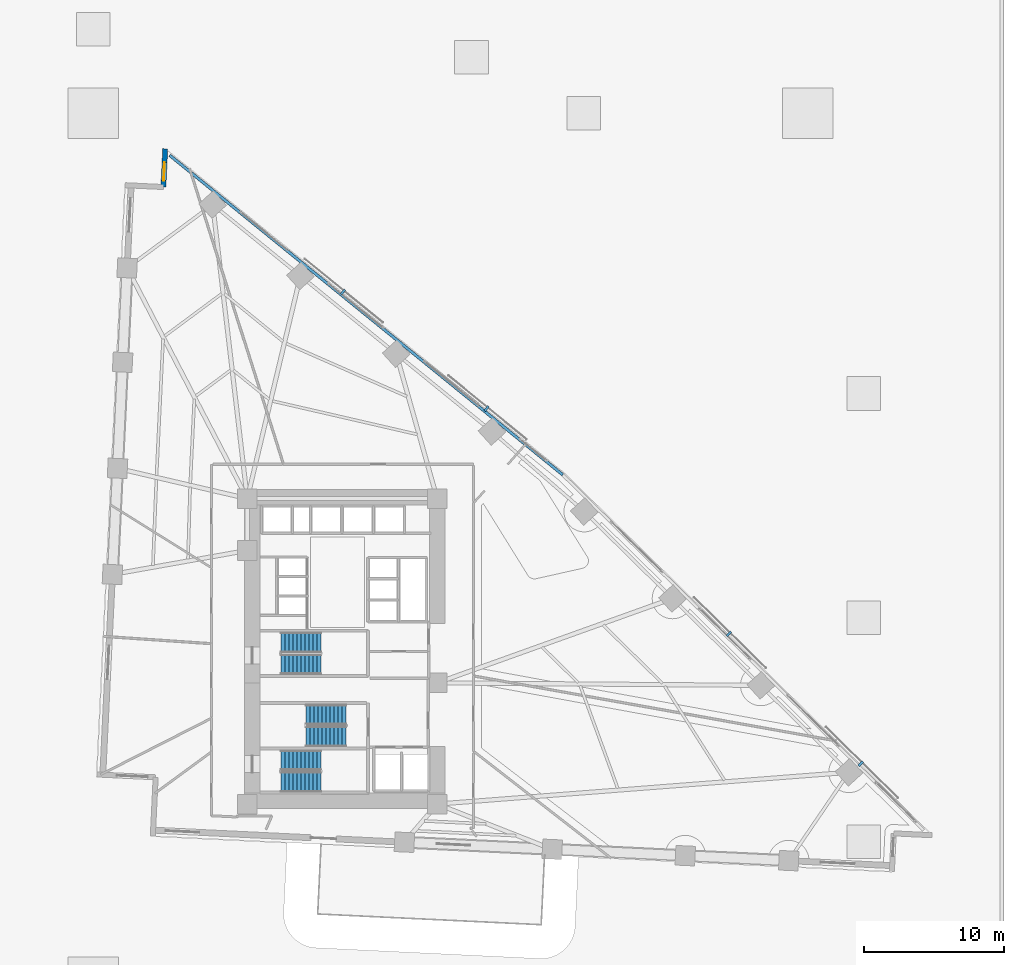
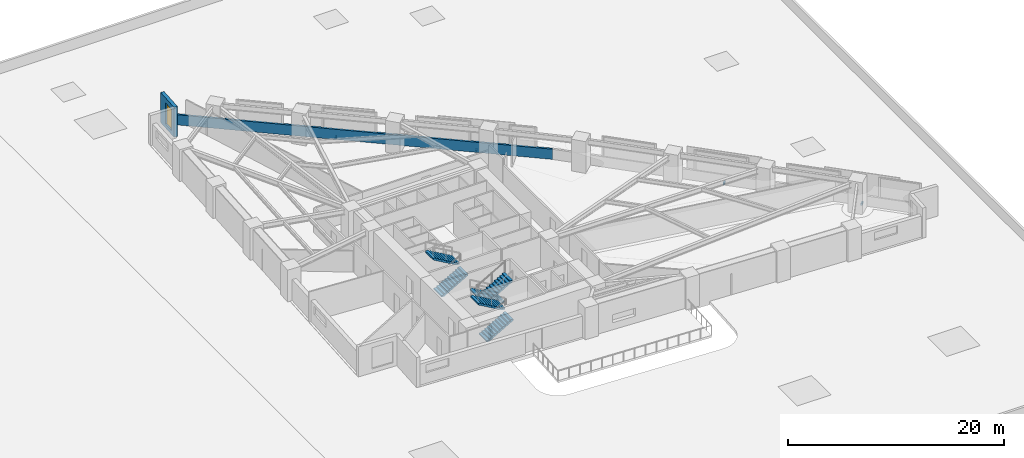
# One storey, part 17 of 19: 6 stair flights, 4 discrete accessories, 2 walls, 1 window, 1 opening, 3 elements without a shape of their own.
"""IFC4 building model written with IfcOpenShell, lengths in metres."""

from ifc_helpers import new_model, si_unit, direction, frame, frame_2d, origin, origin_2d, place, context, subcontext, project, spatial, polyline, rectangle, outline, extrude, material, layer, layer_set, type_object, element, fill, aggregate, save


model = new_model("IFC4")

# Units and contexts
model_context = context("Model", 3, precision=1e-05, world=origin(), true_north=direction((0.0, 1.0)))
body_context = subcontext(model_context, "Body", "Model", "MODEL_VIEW")
ifc_project = project(units=[si_unit("LENGTHUNIT", "METRE"), si_unit("AREAUNIT", "SQUARE_METRE"), si_unit("VOLUMEUNIT", "CUBIC_METRE"), si_unit("PLANEANGLEUNIT", "RADIAN"), si_unit("MASSUNIT", "GRAM", prefix="KILO")], contexts=[model_context])

# Site, building, storey
site_placement = place(None, origin())
site = spatial("IfcSite", under=ifc_project, at=site_placement, CompositionType="ELEMENT")
building_placement = place(site_placement, origin())
building = spatial("IfcBuilding", under=site, at=building_placement, Name="Narakoshi Arena Tower", CompositionType="ELEMENT")
storey_placement = place(building_placement, frame((0.0, 0.0, 26.699951171875)))
storey = spatial("IfcBuildingStorey", under=building, at=storey_placement, Name="L06", CompositionType="ELEMENT", Elevation=26.699951171875)

# Wall
ifc_material_1 = material(Name="Precast concrete C45/55", Category="concrete")
ifc_layer_1 = layer(ifc_material_1, 0.25)
ifc_layer_set_1 = layer_set([ifc_layer_1], Name="Precast concrete C45/55")
wall_type_1 = type_object("IfcWallType", Name="WL-PARA-250", PredefinedType="PARAPET", material=ifc_layer_set_1)
wall_1_placement = place(storey_placement, frame((94.51318359375, 58.19580078125, 0.0), z_axis=(0.0, 0.0, 1.0), x_axis=(-0.776001602097, 0.630730935933, 0.0)))
element("IfcWall", 1, at=wall_1_placement, inside=storey, type_object=wall_type_1, Name="L06 Hypotenuse Sill Upstand Parapet 2-01", PredefinedType="PARAPET", context=body_context, shape_type="SweptSolid", body=[
    extrude(rectangle(XDim=36.14794921875, YDim=0.199951171875, at=frame_2d((18.073974609375, 0.0))), origin(), (0.0, 0.0, 1.0), 1.150146484375),
])

# Wall, opening, window
ifc_layer_2 = layer(ifc_material_1, 0.419921875)
ifc_layer_set_2 = layer_set([ifc_layer_2], Name="Precast concrete C45/55")
wall_type_2 = type_object("IfcWallType", Name="WL-POD-420", PredefinedType="SOLIDWALL", material=ifc_layer_set_2)
wall_2_placement = place(storey_placement, frame((66.144287109375, 81.4599609375, 0.0), z_axis=(0.0, 0.0, 1.0), x_axis=(-0.047934806162, -0.998850466465, 0.0)))
wall_2 = element("IfcWall", 2, at=wall_2_placement, inside=storey, type_object=wall_type_2, Name="L06 Re-Entrant Corner Notch Wall NTN-1", PredefinedType="SOLIDWALL", context=body_context, shape_type="SweptSolid", body=[
    extrude(rectangle(XDim=2.72998046875, YDim=0.360107421875, at=frame_2d((1.364990234375, 0.0))), origin(), (0.0, 0.0, 1.0), 3.400146484375),
])
opening_placement = place(wall_2_placement, frame((0.965087890625, 0.0, 0.449951171875)))
opening = element("IfcOpeningElement", 3, at=opening_placement, cuts=wall_2, Name="Opening WN-06", PredefinedType="OPENING", context=body_context, shape_type="SweptSolid", body=[
    extrude(rectangle(XDim=1.300048828125, YDim=2.39990234375, at=frame_2d((0.64990234375, 1.199951171875))), frame((0.0, 0.18994140625, 0.0), z_axis=(0.0, -1.0, 0.0), x_axis=(1.0, 0.0, 0.0)), (0.0, 0.0, 1.0), 0.380126953125),
])
ifc_material_2 = material(Name="Bronze-tinted low-E laminated glass", Category="glass")
window_type = type_object("IfcWindowType", Name="WIN-NTC-16x24", PartitioningType="SINGLE_PANEL", PredefinedType="WINDOW", material=ifc_material_2)
window_placement = place(opening_placement, origin())
window = element("IfcWindow", 4, at=window_placement, inside=storey, type_object=window_type, Name="L06 Corner Notch Window NTN", OverallHeight=2.39990234375, OverallWidth=1.300048828125, PartitioningType="SINGLE_PANEL", PredefinedType="WINDOW", context=body_context, shape_type="SweptSolid", body=[
    extrude(rectangle(XDim=1.300048828125, YDim=2.39990234375, at=frame_2d((0.64990234375, 1.199951171875))), frame((0.0, 0.030029296875, 0.0), z_axis=(0.0, -1.0, 0.0), x_axis=(1.0, 0.0, 0.0)), (0.0, 0.0, 1.0), 0.06005859375),
])
fill(opening, window)

# Stair, stair flights
ifc_material_3 = material(Name="Concrete C45/55", Category="concrete")
stair_type = type_object("IfcStairType", Name="STR-CORE-360", PredefinedType="TWO_STRAIGHT_RUN_STAIR", material=ifc_material_3)
stair_1_placement = place(storey_placement, origin())
stair_1 = element("IfcStair", 5, at=stair_1_placement, inside=storey, type_object=stair_type, Name="L06 Core Escape Stair ST1", PredefinedType="TWO_STRAIGHT_RUN_STAIR")
stair_flight_type = type_object("IfcStairFlightType", Name="FLT-145-160", PredefinedType="STRAIGHT", material=ifc_material_1)
stair_flight_1_placement = place(storey_placement, frame((74.39990234375, 36.27490234375, 0.0), z_axis=(0.0, 0.0, 1.0), x_axis=(1.0, 0.0, 0.0)))
stair_flight_1 = element("IfcStairFlight", 6, at=stair_flight_1_placement, type_object=stair_flight_type, Name="ST1 flight 1", NumberOfRisers=11, NumberOfTreads=10, PredefinedType="STRAIGHT", RiserHeight=0.163636364, TreadLength=0.285, context=body_context, shape_type="SweptSolid", body=[
    extrude(outline(polyline([(0.0, 0.0), (0.0, 0.16357421875), (0.284912109375, 0.16357421875), (0.284912109375, 0.327392578125), (0.570068359375, 0.327392578125), (0.570068359375, 0.490966796875), (0.85498046875, 0.490966796875), (0.85498046875, 0.654541015625), (1.139892578125, 0.654541015625), (1.139892578125, 0.818115234375), (1.425048828125, 0.818115234375), (1.425048828125, 0.98193359375), (1.7099609375, 0.98193359375), (1.7099609375, 1.1455078125), (1.9951171875, 1.1455078125), (1.9951171875, 1.30908203125), (2.280029296875, 1.30908203125), (2.280029296875, 1.47265625), (2.56494140625, 1.47265625), (2.56494140625, 1.636474609375), (2.85009765625, 1.636474609375), (2.85009765625, 1.800048828125), (2.85009765625, 1.463623046875), (0.301025390625, 0.0), (0.0, 0.0)])), frame((0.0, 0.72509765625, 0.0), z_axis=(0.0, -1.0, 0.0), x_axis=(1.0, 0.0, 0.0)), (0.0, 0.0, 1.0), 1.449951171875),
])
stair_flight_2_placement = place(storey_placement, frame((77.25, 37.824951171875, 1.800048828125), z_axis=(0.0, 0.0, 1.0), x_axis=(-1.0, 0.0, 0.0)))
stair_flight_2 = element("IfcStairFlight", 7, at=stair_flight_2_placement, type_object=stair_flight_type, Name="ST1 flight 2", NumberOfRisers=11, NumberOfTreads=10, PredefinedType="STRAIGHT", RiserHeight=0.163636364, TreadLength=0.285, context=body_context, shape_type="SweptSolid", body=[
    extrude(outline(polyline([(0.0, 0.0), (0.0, 0.16357421875), (0.284912109375, 0.16357421875), (0.284912109375, 0.327392578125), (0.570068359375, 0.327392578125), (0.570068359375, 0.490966796875), (0.85498046875, 0.490966796875), (0.85498046875, 0.654541015625), (1.139892578125, 0.654541015625), (1.139892578125, 0.818115234375), (1.425048828125, 0.818115234375), (1.425048828125, 0.98193359375), (1.7099609375, 0.98193359375), (1.7099609375, 1.1455078125), (1.9951171875, 1.1455078125), (1.9951171875, 1.30908203125), (2.280029296875, 1.30908203125), (2.280029296875, 1.47265625), (2.56494140625, 1.47265625), (2.56494140625, 1.636474609375), (2.85009765625, 1.636474609375), (2.85009765625, 1.800048828125), (2.85009765625, 1.463623046875), (0.301025390625, 0.0), (0.0, 0.0)])), frame((0.0, 0.72509765625, 0.0), z_axis=(0.0, -1.0, 0.0), x_axis=(1.0, 0.0, 0.0)), (0.0, 0.0, 1.0), 1.449951171875),
])
aggregate(stair_1, [stair_flight_1, stair_flight_2])

stair_2_placement = place(storey_placement, origin())
stair_2 = element("IfcStair", 8, at=stair_2_placement, inside=storey, type_object=stair_type, Name="L06 Core Escape Stair ST2", PredefinedType="TWO_STRAIGHT_RUN_STAIR")
stair_flight_3_placement = place(storey_placement, frame((79.050048828125, 41.074951171875, 0.0), z_axis=(0.0, 0.0, 1.0), x_axis=(-1.0, 0.0, 0.0)))
stair_flight_3 = element("IfcStairFlight", 9, at=stair_flight_3_placement, type_object=stair_flight_type, Name="ST2 flight 1", NumberOfRisers=11, NumberOfTreads=10, PredefinedType="STRAIGHT", RiserHeight=0.163636364, TreadLength=0.285, context=body_context, shape_type="SweptSolid", body=[
    extrude(outline(polyline([(0.0, 0.0), (0.0, 0.16357421875), (0.284912109375, 0.16357421875), (0.284912109375, 0.327392578125), (0.570068359375, 0.327392578125), (0.570068359375, 0.490966796875), (0.85498046875, 0.490966796875), (0.85498046875, 0.654541015625), (1.139892578125, 0.654541015625), (1.139892578125, 0.818115234375), (1.425048828125, 0.818115234375), (1.425048828125, 0.98193359375), (1.7099609375, 0.98193359375), (1.7099609375, 1.1455078125), (1.9951171875, 1.1455078125), (1.9951171875, 1.30908203125), (2.280029296875, 1.30908203125), (2.280029296875, 1.47265625), (2.56494140625, 1.47265625), (2.56494140625, 1.636474609375), (2.85009765625, 1.636474609375), (2.85009765625, 1.800048828125), (2.85009765625, 1.463623046875), (0.301025390625, 0.0), (0.0, 0.0)])), frame((0.0, 0.72509765625, 0.0), z_axis=(0.0, -1.0, 0.0), x_axis=(1.0, 0.0, 0.0)), (0.0, 0.0, 1.0), 1.449951171875),
])
stair_flight_4_placement = place(storey_placement, frame((76.199951171875, 39.52490234375, 1.800048828125), z_axis=(0.0, 0.0, 1.0), x_axis=(1.0, 0.0, 0.0)))
stair_flight_4 = element("IfcStairFlight", 10, at=stair_flight_4_placement, type_object=stair_flight_type, Name="ST2 flight 2", NumberOfRisers=11, NumberOfTreads=10, PredefinedType="STRAIGHT", RiserHeight=0.163636364, TreadLength=0.285, context=body_context, shape_type="SweptSolid", body=[
    extrude(outline(polyline([(0.0, 0.0), (0.0, 0.16357421875), (0.284912109375, 0.16357421875), (0.284912109375, 0.327392578125), (0.570068359375, 0.327392578125), (0.570068359375, 0.490966796875), (0.85498046875, 0.490966796875), (0.85498046875, 0.654541015625), (1.139892578125, 0.654541015625), (1.139892578125, 0.818115234375), (1.425048828125, 0.818115234375), (1.425048828125, 0.98193359375), (1.7099609375, 0.98193359375), (1.7099609375, 1.1455078125), (1.9951171875, 1.1455078125), (1.9951171875, 1.30908203125), (2.280029296875, 1.30908203125), (2.280029296875, 1.47265625), (2.56494140625, 1.47265625), (2.56494140625, 1.636474609375), (2.85009765625, 1.636474609375), (2.85009765625, 1.800048828125), (2.85009765625, 1.463623046875), (0.301025390625, 0.0), (0.0, 0.0)])), frame((0.0, 0.72509765625, 0.0), z_axis=(0.0, -1.0, 0.0), x_axis=(1.0, 0.0, 0.0)), (0.0, 0.0, 1.0), 1.449951171875),
])
aggregate(stair_2, [stair_flight_3, stair_flight_4])

stair_3_placement = place(storey_placement, origin())
stair_3 = element("IfcStair", 11, at=stair_3_placement, inside=storey, type_object=stair_type, Name="L06 Core Escape Stair ST3", PredefinedType="TWO_STRAIGHT_RUN_STAIR")
stair_flight_5_placement = place(storey_placement, frame((74.39990234375, 44.675048828125, 0.0), z_axis=(0.0, 0.0, 1.0), x_axis=(1.0, 0.0, 0.0)))
stair_flight_5 = element("IfcStairFlight", 12, at=stair_flight_5_placement, type_object=stair_flight_type, Name="ST3 flight 1", NumberOfRisers=11, NumberOfTreads=10, PredefinedType="STRAIGHT", RiserHeight=0.163636364, TreadLength=0.285, context=body_context, shape_type="SweptSolid", body=[
    extrude(outline(polyline([(0.0, 0.0), (0.0, 0.16357421875), (0.284912109375, 0.16357421875), (0.284912109375, 0.327392578125), (0.570068359375, 0.327392578125), (0.570068359375, 0.490966796875), (0.85498046875, 0.490966796875), (0.85498046875, 0.654541015625), (1.139892578125, 0.654541015625), (1.139892578125, 0.818115234375), (1.425048828125, 0.818115234375), (1.425048828125, 0.98193359375), (1.7099609375, 0.98193359375), (1.7099609375, 1.1455078125), (1.9951171875, 1.1455078125), (1.9951171875, 1.30908203125), (2.280029296875, 1.30908203125), (2.280029296875, 1.47265625), (2.56494140625, 1.47265625), (2.56494140625, 1.636474609375), (2.85009765625, 1.636474609375), (2.85009765625, 1.800048828125), (2.85009765625, 1.463623046875), (0.301025390625, 0.0), (0.0, 0.0)])), frame((0.0, 0.72509765625, 0.0), z_axis=(0.0, -1.0, 0.0), x_axis=(1.0, 0.0, 0.0)), (0.0, 0.0, 1.0), 1.449951171875),
])
stair_flight_6_placement = place(storey_placement, frame((77.25, 46.22509765625, 1.800048828125), z_axis=(0.0, 0.0, 1.0), x_axis=(-1.0, 0.0, 0.0)))
stair_flight_6 = element("IfcStairFlight", 13, at=stair_flight_6_placement, type_object=stair_flight_type, Name="ST3 flight 2", NumberOfRisers=11, NumberOfTreads=10, PredefinedType="STRAIGHT", RiserHeight=0.163636364, TreadLength=0.285, context=body_context, shape_type="SweptSolid", body=[
    extrude(outline(polyline([(0.0, 0.0), (0.0, 0.16357421875), (0.284912109375, 0.16357421875), (0.284912109375, 0.327392578125), (0.570068359375, 0.327392578125), (0.570068359375, 0.490966796875), (0.85498046875, 0.490966796875), (0.85498046875, 0.654541015625), (1.139892578125, 0.654541015625), (1.139892578125, 0.818115234375), (1.425048828125, 0.818115234375), (1.425048828125, 0.98193359375), (1.7099609375, 0.98193359375), (1.7099609375, 1.1455078125), (1.9951171875, 1.1455078125), (1.9951171875, 1.30908203125), (2.280029296875, 1.30908203125), (2.280029296875, 1.47265625), (2.56494140625, 1.47265625), (2.56494140625, 1.636474609375), (2.85009765625, 1.636474609375), (2.85009765625, 1.800048828125), (2.85009765625, 1.463623046875), (0.301025390625, 0.0), (0.0, 0.0)])), frame((0.0, 0.72509765625, 0.0), z_axis=(0.0, -1.0, 0.0), x_axis=(1.0, 0.0, 0.0)), (0.0, 0.0, 1.0), 1.449951171875),
])
aggregate(stair_3, [stair_flight_5, stair_flight_6])

# Discrete accessories
ifc_material_4 = material(Name="Structural steel S355J2", Category="steel")
discrete_accessory_type = type_object("IfcDiscreteAccessoryType", Name="ACC-BRK-SCR", PredefinedType="BRACKET", material=ifc_material_4)
for number, where, z_axis, x_axis, name in (
    (14, (115.783203125, 37.58740234375, -0.080078125), (0.0, 0.0, 1.0), (-0.712540559713, 0.70163092204, 0.0), "L06 Solar Screen Support Bracket SHD-L06-SCR1-1"),
    (15, (106.377685546875, 46.848876953125, -0.080078125), (0.0, 0.0, 1.0), (-0.712540559713, 0.70163092204, 0.0), "L06 Solar Screen Support Bracket SHD-L06-SCR1-2"),
    (16, (89.077392578125, 62.923095703125, -0.080078125), (0.0, 0.0, 1.0), (-0.776002375698, 0.630729984154, 0.0), "L06 Solar Screen Support Bracket SHD-L06-SCR2-1"),
    (17, (78.833984375, 71.248779296875, -0.080078125), (0.0, 0.0, 1.0), (-0.776002375698, 0.630729984154, 0.0), "L06 Solar Screen Support Bracket SHD-L06-SCR2-2"),
):
    element("IfcDiscreteAccessory", number, at=place(storey_placement, frame(where, z_axis=z_axis, x_axis=x_axis)), inside=storey, type_object=discrete_accessory_type, Name=name, PredefinedType="BRACKET", context=body_context, shape_type="SweptSolid", body=[
        extrude(rectangle(XDim=0.159912109375, YDim=0.425048828125, at=origin_2d()), origin(), (0.0, 0.0, 1.0), 0.199951171875),
    ])

save(model, "model.ifc")
